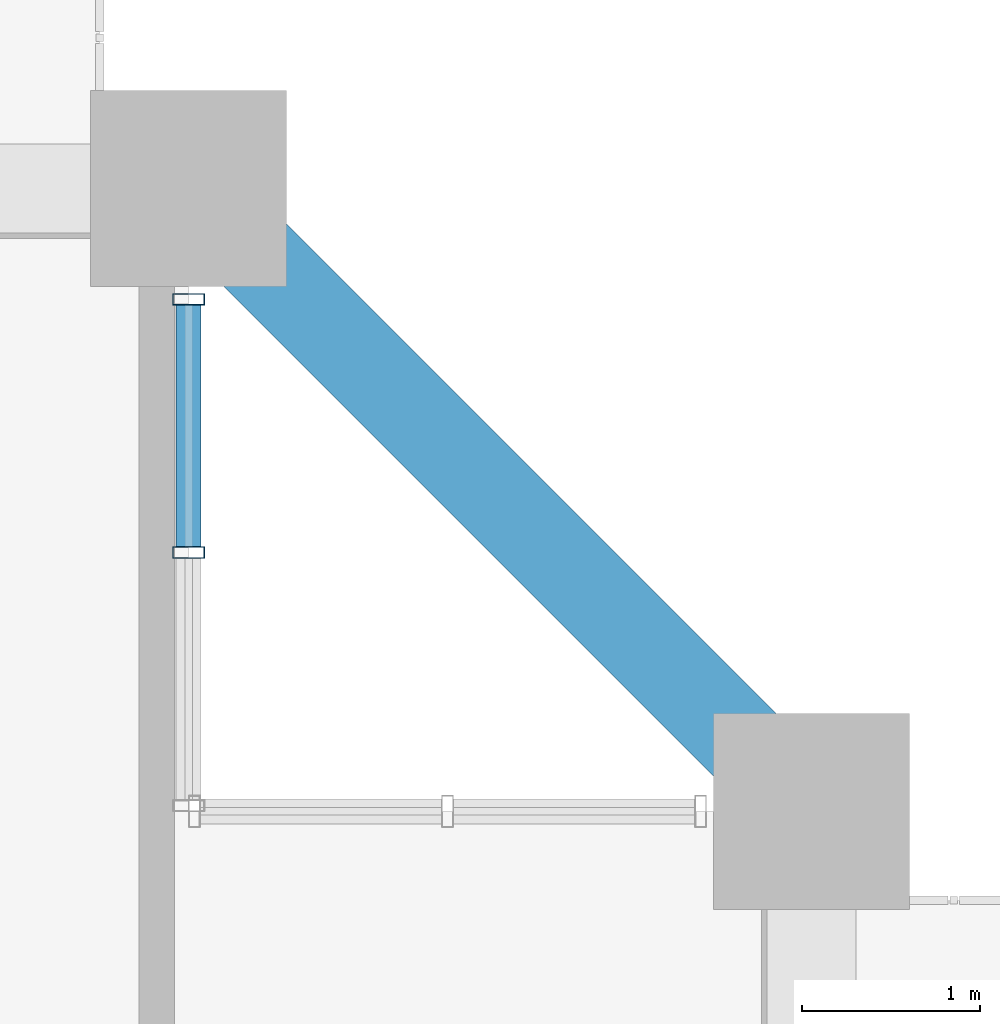
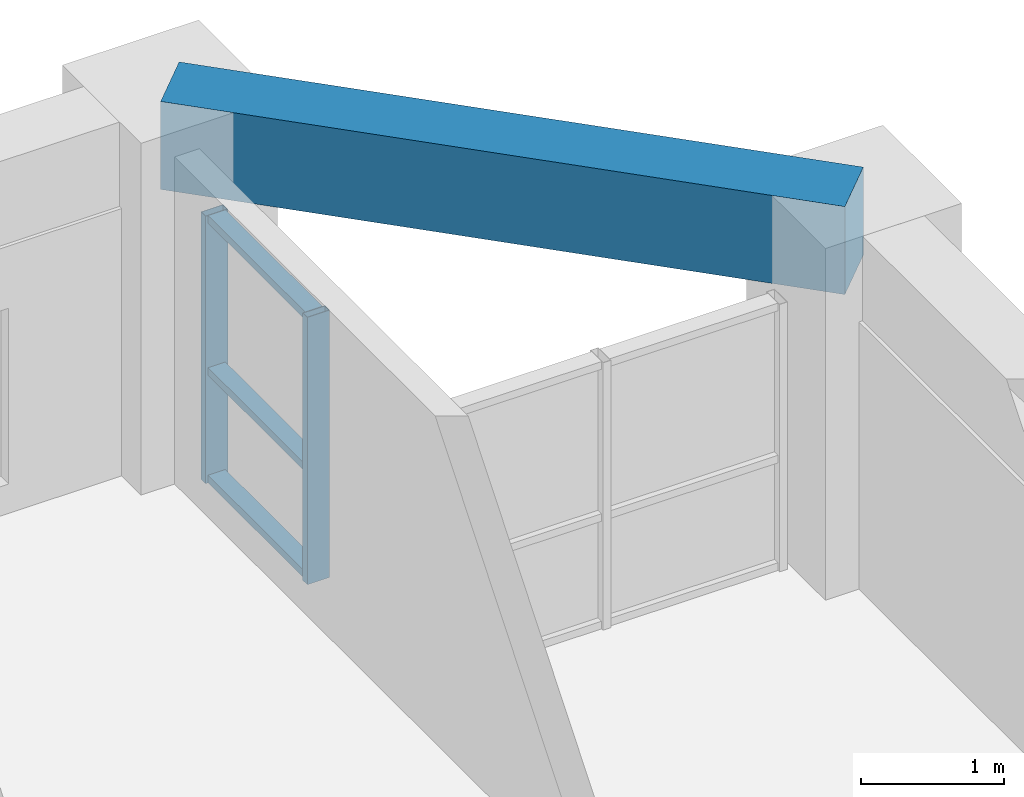
# One storey, part 12 of 27: 5 members, 1 beam, 1 element without a shape of its own.
"""IFC4 building model written with IfcOpenShell, lengths in metres."""

from ifc_helpers import new_model, si_unit, direction, frame, origin, origin_2d, place, context, subcontext, project, spatial, rectangle, hollow_rectangle, extrude, source, transform, mapped, material, layer, layer_set, material_profile, profile_set, type_object, element, aggregate, save


model = new_model("IFC4")

# Units and contexts
model_context = context("Model", 3, precision=1e-05, world=origin(), true_north=direction((0.0, 1.0)))
body_context = subcontext(model_context, "Body", "Model", "MODEL_VIEW")
ifc_project = project(units=[si_unit("LENGTHUNIT", "METRE"), si_unit("AREAUNIT", "SQUARE_METRE"), si_unit("VOLUMEUNIT", "CUBIC_METRE"), si_unit("PLANEANGLEUNIT", "RADIAN"), si_unit("MASSUNIT", "GRAM", prefix="KILO")], contexts=[model_context])

# Site, building, storey
site_placement = place(None, origin())
site = spatial("IfcSite", under=ifc_project, at=site_placement, CompositionType="ELEMENT")
building_placement = place(site_placement, origin())
building = spatial("IfcBuilding", under=site, at=building_placement, Name="Saelheon Loggia Tower", CompositionType="ELEMENT")
storey_placement = place(building_placement, frame((0.0, 0.0, 43.39990234375)))
storey = spatial("IfcBuildingStorey", under=building, at=storey_placement, Name="L13", CompositionType="ELEMENT", Elevation=43.39990234375)

# Beam
ifc_material_1 = material(Name="Concrete C45/55", Category="concrete")
ifc_material_profile_1 = material_profile(ifc_material_1, rectangle(XDim=0.5, YDim=0.75, at=origin_2d()), Name="RC-500x750")
ifc_profile_set_1 = profile_set([ifc_material_profile_1], Name="Concrete C45/55")
beam_type = type_object("IfcBeamType", Name="Beam_PerimGirder_RC500x750", PredefinedType="BEAM", material=ifc_profile_set_1)
shared_shape_1 = source(origin(), body_context, "Body", "SweptSolid", [
    extrude(rectangle(XDim=0.5, YDim=0.75, at=origin_2d()), origin(), (0.0, 0.0, 1.0), 4.94970703125),
])
beam_placement = place(storey_placement, frame((64.0, 47.5, 2.625), z_axis=(-0.707106781187, 0.707106781187, 0.0), x_axis=(-0.707106781187, -0.707106781187, 0.0)))
element("IfcBeam", 1, at=beam_placement, inside=storey, type_object=beam_type, Name="L13 Perimeter Frame Girder 08", PredefinedType="BEAM", context=body_context, shape_type="MappedRepresentation", body=[
    mapped(shared_shape_1, transform((0.0, 0.0, 0.0), scale=1.0)),
])

# Curtain wall, members
ifc_material_2 = material(Name="Thermal-Break Aluminium and Triple Low-E Glass", Category="aluminium")
ifc_layer = layer(ifc_material_2, 0.159912109375)
ifc_layer_set = layer_set([ifc_layer], Name="Thermal-Break Aluminium and Triple Low-E Glass")
curtain_wall_type = type_object("IfcCurtainWallType", Name="CW_TowerLoggiaLow", PredefinedType="NOTDEFINED", material=ifc_layer_set)
curtain_wall_placement = place(storey_placement, origin())
curtain_wall = element("IfcCurtainWall", 2, at=curtain_wall_placement, inside=storey, type_object=curtain_wall_type, Name="L13 Corner Notch Glazing NE1", PredefinedType="NOTDEFINED")
ifc_material_3 = material(Name="Anodised Aluminium 6063-T6", Category="aluminium")
ifc_material_profile_2 = material_profile(ifc_material_3, hollow_rectangle(XDim=0.06494140625, YDim=0.179931640625, WallThickness=0.00390625, at=origin_2d()), Name="RHS-180x65x4")
ifc_profile_set_2 = profile_set([ifc_material_profile_2], Name="Anodised Aluminium 6063-T6")
member_type_1 = type_object("IfcMemberType", Name="CW_TowerLoggiaLow_Mullion", PredefinedType="MULLION", material=ifc_profile_set_2)
shared_shape_2 = source(origin(), body_context, "Body", "SweptSolid", [
    extrude(hollow_rectangle(XDim=0.06494140625, YDim=0.179931640625, WallThickness=0.00390625, at=origin_2d()), origin(), (0.0, 0.0, 1.0), 2.280029296875),
])
member_1_placement = place(storey_placement, frame((60.5, 48.955078125, 0.0), z_axis=(0.0, 0.0, 1.0), x_axis=(0.0, 1.0, 0.0)))
member_1 = element("IfcMember", 3, at=member_1_placement, type_object=member_type_1, Name="CW3 mullion 2", PredefinedType="MULLION", context=body_context, shape_type="MappedRepresentation", body=[
    mapped(shared_shape_2, transform((0.0, 0.0, 0.0), scale=1.0)),
])
member_2_placement = place(storey_placement, frame((60.5, 50.37744140625, 0.0), z_axis=(0.0, 0.0, 1.0), x_axis=(0.0, 1.0, 0.0)))
member_2 = element("IfcMember", 4, at=member_2_placement, type_object=member_type_1, Name="CW3 mullion 3", PredefinedType="MULLION", context=body_context, shape_type="MappedRepresentation", body=[
    mapped(shared_shape_2, transform((0.0, 0.0, 0.0), scale=1.0)),
])
ifc_material_profile_3 = material_profile(ifc_material_3, hollow_rectangle(XDim=0.06494140625, YDim=0.139892578125, WallThickness=0.00390625, at=origin_2d()), Name="RHS-140x65x4")
ifc_profile_set_3 = profile_set([ifc_material_profile_3], Name="Anodised Aluminium 6063-T6")
member_type_2 = type_object("IfcMemberType", Name="CW_TowerLoggiaLow_Transom", PredefinedType="USERDEFINED", material=ifc_profile_set_3)
shared_shape_3 = source(origin(), body_context, "Body", "SweptSolid", [
    extrude(hollow_rectangle(XDim=0.06494140625, YDim=0.139892578125, WallThickness=0.00390625, at=origin_2d()), origin(), (0.0, 0.0, 1.0), 1.357421875),
])
member_3_placement = place(storey_placement, frame((60.5, 48.987548828125, 0.03271484375), z_axis=(0.0, 1.0, 0.0), x_axis=(0.0, 0.0, 1.0)))
member_3 = element("IfcMember", 5, at=member_3_placement, type_object=member_type_2, Name="CW3 transom 2.1", ObjectType="TRANSOM", PredefinedType="USERDEFINED", context=body_context, shape_type="MappedRepresentation", body=[
    mapped(shared_shape_3, transform((0.0, 0.0, 0.0), scale=1.0)),
])
member_4_placement = place(storey_placement, frame((60.5, 48.987548828125, 0.9501953125), z_axis=(0.0, 1.0, 0.0), x_axis=(0.0, 0.0, 1.0)))
member_4 = element("IfcMember", 6, at=member_4_placement, type_object=member_type_2, Name="CW3 transom 2.2", ObjectType="TRANSOM", PredefinedType="USERDEFINED", context=body_context, shape_type="MappedRepresentation", body=[
    mapped(shared_shape_3, transform((0.0, 0.0, 0.0), scale=1.0)),
])
member_5_placement = place(storey_placement, frame((60.5, 48.987548828125, 2.24755859375), z_axis=(0.0, 1.0, 0.0), x_axis=(0.0, 0.0, 1.0)))
member_5 = element("IfcMember", 7, at=member_5_placement, type_object=member_type_2, Name="CW3 transom 2.3", ObjectType="TRANSOM", PredefinedType="USERDEFINED", context=body_context, shape_type="MappedRepresentation", body=[
    mapped(shared_shape_3, transform((0.0, 0.0, 0.0), scale=1.0)),
])
aggregate(curtain_wall, [member_1, member_2, member_3, member_4, member_5])

save(model, "model.ifc")
